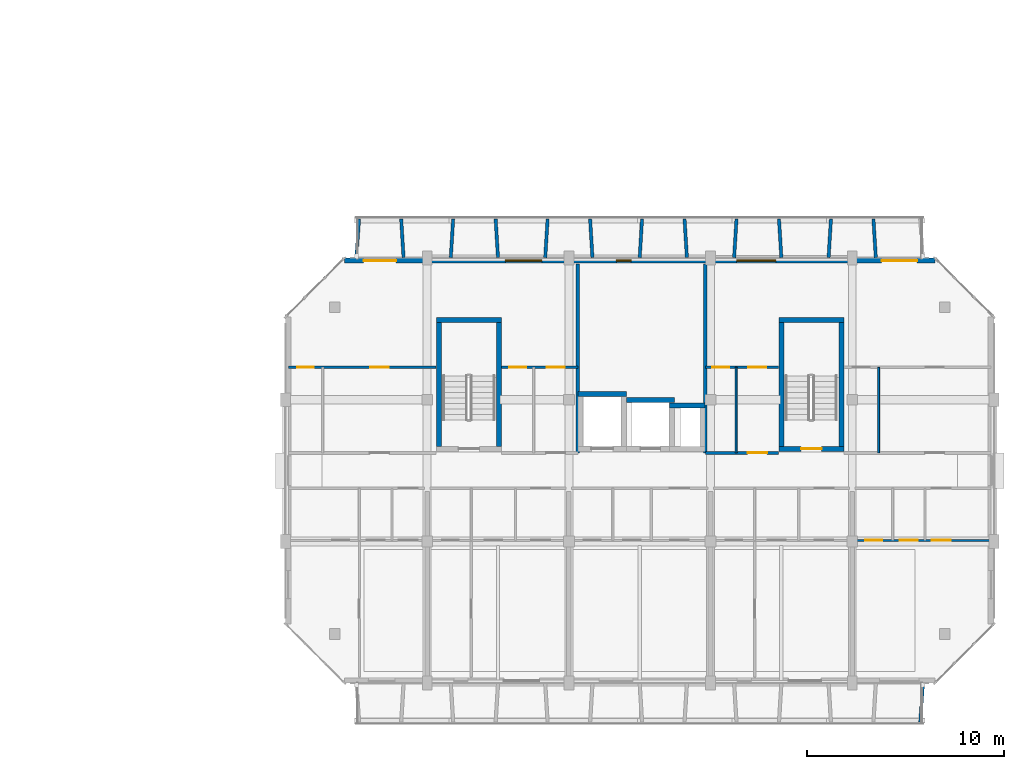
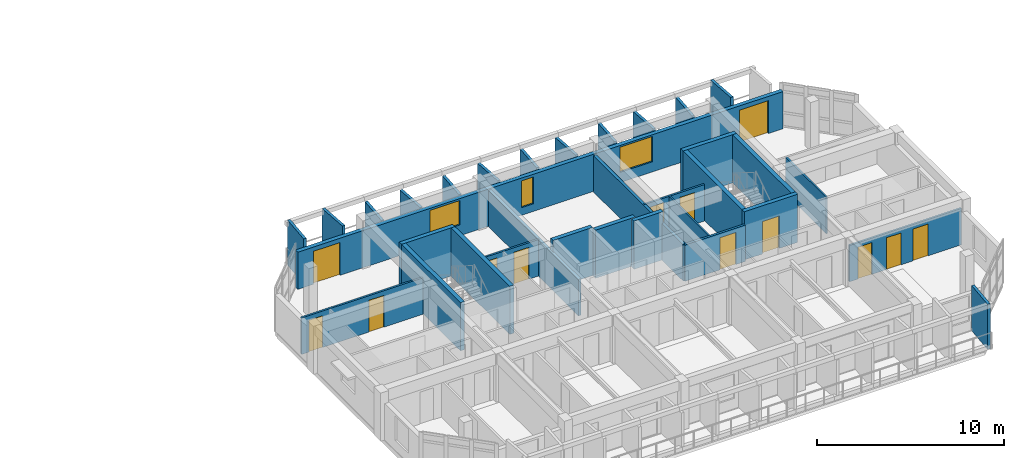
# One storey, part 31 of 51: 33 walls, 13 doors, 3 windows, 16 openings.
"""IFC4 building model written with IfcOpenShell, lengths in metres."""

from ifc_helpers import new_model, si_unit, direction, frame, frame_2d, origin, place, context, subcontext, project, spatial, rectangle, extrude, material, layer, layer_set, type_object, element, fill, save


model = new_model("IFC4")

# Units and contexts
model_context = context("Model", 3, precision=1e-05, world=origin(), true_north=direction((0.0, 1.0)))
body_context = subcontext(model_context, "Body", "Model", "MODEL_VIEW")
ifc_project = project(units=[si_unit("LENGTHUNIT", "METRE"), si_unit("AREAUNIT", "SQUARE_METRE"), si_unit("VOLUMEUNIT", "CUBIC_METRE"), si_unit("PLANEANGLEUNIT", "RADIAN"), si_unit("MASSUNIT", "GRAM", prefix="KILO")], contexts=[model_context])

# Site, building, storey
site_placement = place(None, origin())
site = spatial("IfcSite", under=ifc_project, at=site_placement, CompositionType="ELEMENT")
building_placement = place(site_placement, origin())
building = spatial("IfcBuilding", under=site, at=building_placement, Name="Ochrevale Crest", CompositionType="ELEMENT")
storey_placement = place(building_placement, frame((0.0, 0.0, 11.85009765625)))
storey = spatial("IfcBuildingStorey", under=building, at=storey_placement, Name="L03", CompositionType="ELEMENT", Elevation=11.85009765625)

# Wall, opening, door
ifc_material_1 = material(Name="Gypsum plasterboard", Category="gypsum")
ifc_layer_1 = layer(ifc_material_1, 0.139892578125)
ifc_layer_set_1 = layer_set([ifc_layer_1], Name="Gypsum plasterboard")
wall_type_1 = type_object("IfcWallType", Name="WL-COR-140", PredefinedType="PARTITIONING", material=ifc_layer_set_1)
wall_1_placement = place(storey_placement, frame((150.93994140625, 26.10009765625, 0.0), z_axis=(0.0, 0.0, 1.0), x_axis=(1.0, 0.0, 0.0)))
wall_1 = element("IfcWall", 1, at=wall_1_placement, inside=storey, type_object=wall_type_1, Name="Suite C-L03-ME corridor wall", PredefinedType="PARTITIONING", context=body_context, shape_type="SweptSolid", body=[
    extrude(rectangle(XDim=3.719970703125, YDim=0.139892578125, at=frame_2d((1.85986328125, 0.0))), origin(), (0.0, 0.0, 1.0), 2.3798828125),
])
opening_1_placement = place(wall_1_placement, frame((2.151123046875, 0.0, 0.0)))
opening_1 = element("IfcOpeningElement", 2, at=opening_1_placement, cuts=wall_1, Name="Opening FD01", PredefinedType="OPENING", context=body_context, shape_type="SweptSolid", body=[
    extrude(rectangle(XDim=0.97998046875, YDim=2.10009765625, at=frame_2d((0.489990234375, 1.050048828125))), frame((0.0, 0.080078125, 0.0), z_axis=(0.0, -1.0, 0.0), x_axis=(1.0, 0.0, 0.0)), (0.0, 0.0, 1.0), 0.159912109375),
])
ifc_material_2 = material(Name="Solid-core FSC hardwood", Category="wood")
door_type_1 = type_object("IfcDoorType", Name="DR-APT-950", OperationType="NOTDEFINED", PredefinedType="DOOR", material=ifc_material_2)
door_1_placement = place(opening_1_placement, origin())
door_1 = element("IfcDoor", 3, at=door_1_placement, inside=storey, type_object=door_type_1, Name="Suite C-L03-ME entrance door", OperationType="SINGLE_SWING_LEFT", OverallHeight=2.10009765625, OverallWidth=0.97998046875, PredefinedType="DOOR", context=body_context, shape_type="SweptSolid", body=[
    extrude(rectangle(XDim=0.97998046875, YDim=2.10009765625, at=frame_2d((0.489990234375, 1.050048828125))), frame((0.0, 0.02490234375, 0.0), z_axis=(0.0, -1.0, 0.0), x_axis=(1.0, 0.0, 0.0)), (0.0, 0.0, 1.0), 0.050048828125),
])
fill(opening_1, door_1)

# Walls
ifc_material_3 = material(Name="Precast concrete C50/60", Category="concrete")
ifc_layer_2 = layer(ifc_material_3, 0.2548828125)
ifc_layer_set_2 = layer_set([ifc_layer_2], Name="Precast concrete C50/60")
wall_type_2 = type_object("IfcWallType", Name="WL-CORE-255", PredefinedType="SHEAR", material=ifc_layer_set_2)
wall_2_placement = place(storey_placement, frame((137.2724609375, 32.85009765625, 0.0), z_axis=(0.0, 0.0, 1.0), x_axis=(1.0, 0.0, 0.0)))
element("IfcWall", 4, at=wall_2_placement, inside=storey, type_object=wall_type_2, Name="Block C L03 Stair 1 precast core shear wall N", PredefinedType="SHEAR", context=body_context, shape_type="SweptSolid", body=[
    extrude(rectangle(XDim=3.304931640625, YDim=0.2548828125, at=frame_2d((1.65234375, 0.0))), origin(), (0.0, 0.0, 1.0), 3.14990234375),
])
for number, where, z_axis, x_axis, name in (
    (5, (137.39990234375, 26.427490234375, 0.0), (0.0, 0.0, 1.0), (0.0, 1.0, 0.0), "Block C L03 Stair 1 precast core shear wall W"),
    (6, (140.449951171875, 26.427490234375, 0.0), (0.0, 0.0, 1.0), (0.0, 1.0, 0.0), "Block C L03 Stair 1 precast core shear wall E"),
):
    element("IfcWall", number, at=place(storey_placement, frame(where, z_axis=z_axis, x_axis=x_axis)), inside=storey, type_object=wall_type_2, Name=name, PredefinedType="SHEAR", context=body_context, shape_type="SweptSolid", body=[
        extrude(rectangle(XDim=6.294921875, YDim=0.2548828125, at=frame_2d((3.1474609375, 0.0))), origin(), (0.0, 0.0, 1.0), 3.14990234375),
    ])

# Wall, opening, door
wall_3_placement = place(storey_placement, frame((154.672607421875, 26.300048828125, 0.0), z_axis=(0.0, 0.0, 1.0), x_axis=(1.0, 0.0, 0.0)))
wall_3 = element("IfcWall", 7, at=wall_3_placement, inside=storey, type_object=wall_type_2, Name="Block C L03 Stair 2 precast core shear wall S", PredefinedType="SHEAR", context=body_context, shape_type="SweptSolid", body=[
    extrude(rectangle(XDim=3.304931640625, YDim=0.2548828125, at=frame_2d((1.65234375, 0.0))), origin(), (0.0, 0.0, 1.0), 3.14990234375),
])
opening_2_placement = place(wall_3_placement, frame((1.12744140625, 0.0, 0.0)))
opening_2 = element("IfcOpeningElement", 8, at=opening_2_placement, cuts=wall_3, Name="Opening FD03", PredefinedType="OPENING", context=body_context, shape_type="SweptSolid", body=[
    extrude(rectangle(XDim=1.050048828125, YDim=2.1201171875, at=frame_2d((0.52490234375, 1.06005859375))), frame((0.0, 0.137451171875, 0.0), z_axis=(0.0, -1.0, 0.0), x_axis=(1.0, 0.0, 0.0)), (0.0, 0.0, 1.0), 0.27490234375),
])
door_type_2 = type_object("IfcDoorType", Name="DR-ST-1050", OperationType="NOTDEFINED", PredefinedType="DOOR", material=ifc_material_2)
door_2_placement = place(opening_2_placement, origin())
door_2 = element("IfcDoor", 9, at=door_2_placement, inside=storey, type_object=door_type_2, Name="Block C L03 fire stair 2 door", OperationType="SINGLE_SWING_LEFT", OverallHeight=2.1201171875, OverallWidth=1.050048828125, PredefinedType="DOOR", context=body_context, shape_type="SweptSolid", body=[
    extrude(rectangle(XDim=1.050048828125, YDim=2.1201171875, at=frame_2d((0.52490234375, 1.06005859375))), frame((0.0, 0.02490234375, 0.0), z_axis=(0.0, -1.0, 0.0), x_axis=(1.0, 0.0, 0.0)), (0.0, 0.0, 1.0), 0.050048828125),
])
fill(opening_2, door_2)

# Walls
wall_4_placement = place(storey_placement, frame((154.672607421875, 32.85009765625, 0.0), z_axis=(0.0, 0.0, 1.0), x_axis=(1.0, 0.0, 0.0)))
element("IfcWall", 10, at=wall_4_placement, inside=storey, type_object=wall_type_2, Name="Block C L03 Stair 2 precast core shear wall N", PredefinedType="SHEAR", context=body_context, shape_type="SweptSolid", body=[
    extrude(rectangle(XDim=3.304931640625, YDim=0.2548828125, at=frame_2d((1.65234375, 0.0))), origin(), (0.0, 0.0, 1.0), 3.14990234375),
])
for number, where, z_axis, x_axis, name in (
    (11, (154.800048828125, 26.427490234375, 0.0), (0.0, 0.0, 1.0), (0.0, 1.0, 0.0), "Block C L03 Stair 2 precast core shear wall W"),
    (12, (157.85009765625, 26.427490234375, 0.0), (0.0, 0.0, 1.0), (0.0, 1.0, 0.0), "Block C L03 Stair 2 precast core shear wall E"),
):
    element("IfcWall", number, at=place(storey_placement, frame(where, z_axis=z_axis, x_axis=x_axis)), inside=storey, type_object=wall_type_2, Name=name, PredefinedType="SHEAR", context=body_context, shape_type="SweptSolid", body=[
        extrude(rectangle(XDim=6.294921875, YDim=0.2548828125, at=frame_2d((3.1474609375, 0.0))), origin(), (0.0, 0.0, 1.0), 3.14990234375),
    ])
wall_5_placement = place(storey_placement, frame((144.472412109375, 29.10009765625, 0.0), z_axis=(0.0, 0.0, 1.0), x_axis=(1.0, 0.0, 0.0)))
element("IfcWall", 13, at=wall_5_placement, inside=storey, type_object=wall_type_2, Name="Block C L03 Lift 1 precast shaft shear wall N", PredefinedType="SHEAR", context=body_context, shape_type="SweptSolid", body=[
    extrude(rectangle(XDim=2.455078125, YDim=0.2548828125, at=frame_2d((1.2275390625, 0.0))), origin(), (0.0, 0.0, 1.0), 3.14990234375),
])
wall_6_placement = place(storey_placement, frame((146.922607421875, 28.800048828125, 0.0), z_axis=(0.0, 0.0, 1.0), x_axis=(1.0, 0.0, 0.0)))
element("IfcWall", 14, at=wall_6_placement, inside=storey, type_object=wall_type_2, Name="Block C L03 Lift 2 precast shaft shear wall N", PredefinedType="SHEAR", context=body_context, shape_type="SweptSolid", body=[
    extrude(rectangle(XDim=2.454833984375, YDim=0.2548828125, at=frame_2d((1.2275390625, 0.0))), origin(), (0.0, 0.0, 1.0), 3.14990234375),
])
wall_7_placement = place(storey_placement, frame((149.12255859375, 28.5, 0.0), z_axis=(0.0, 0.0, 1.0), x_axis=(1.0, 0.0, 0.0)))
element("IfcWall", 15, at=wall_7_placement, inside=storey, type_object=wall_type_2, Name="Block C L03 services riser shaft core wall N", PredefinedType="SHEAR", context=body_context, shape_type="SweptSolid", body=[
    extrude(rectangle(XDim=1.804931640625, YDim=0.2548828125, at=frame_2d((0.90234375, 0.0))), origin(), (0.0, 0.0, 1.0), 3.14990234375),
])

# Wall, openings, doors, windows
ifc_material_4 = material(Name="Precast concrete C40/50", Category="concrete")
ifc_layer_3 = layer(ifc_material_4, 0.25)
ifc_layer_set_3 = layer_set([ifc_layer_3], Name="Precast concrete C40/50")
wall_type_3 = type_object("IfcWallType", Name="WL-EXT-GOLD-250", PredefinedType="SOLIDWALL", material=ifc_layer_set_3)
wall_8_placement = place(storey_placement, frame((162.60009765625, 35.875, 0.0), z_axis=(0.0, 0.0, 1.0), x_axis=(-1.0, 0.0, 0.0)))
wall_8 = element("IfcWall", 16, at=wall_8_placement, inside=storey, type_object=wall_type_3, Name="Block C L03 external facade wall E5", PredefinedType="SOLIDWALL", context=body_context, shape_type="SweptSolid", body=[
    extrude(rectangle(XDim=30.0, YDim=0.25, at=frame_2d((15.0, 0.0))), origin(), (0.0, 0.0, 1.0), 2.429931640625),
])
opening_3_placement = place(wall_8_placement, frame((29.02490234375, 0.0, 0.0), z_axis=(0.0, 0.0, 1.0), x_axis=(-1.0, 0.0, 0.0)))
opening_3 = element("IfcOpeningElement", 17, at=opening_3_placement, cuts=wall_8, Name="Opening BD02", PredefinedType="OPENING", context=body_context, shape_type="SweptSolid", body=[
    extrude(rectangle(XDim=1.64990234375, YDim=2.14990234375, at=frame_2d((0.824951171875, 1.074951171875))), frame((0.0, 0.135009765625, 0.0), z_axis=(0.0, -1.0, 0.0), x_axis=(1.0, 0.0, 0.0)), (0.0, 0.0, 1.0), 0.27001953125),
])
opening_4_placement = place(wall_8_placement, frame((2.699951171875, 0.0, 0.0), z_axis=(0.0, 0.0, 1.0), x_axis=(-1.0, 0.0, 0.0)))
opening_4 = element("IfcOpeningElement", 18, at=opening_4_placement, cuts=wall_8, Name="Opening BD03", PredefinedType="OPENING", context=body_context, shape_type="SweptSolid", body=[
    extrude(rectangle(XDim=1.800048828125, YDim=2.14990234375, at=frame_2d((0.89990234375, 1.074951171875))), frame((0.0, 0.135009765625, 0.0), z_axis=(0.0, -1.0, 0.0), x_axis=(1.0, 0.0, 0.0)), (0.0, 0.0, 1.0), 0.27001953125),
])
opening_5_placement = place(wall_8_placement, frame((15.429931640625, 0.0, 0.5)))
opening_5 = element("IfcOpeningElement", 19, at=opening_5_placement, cuts=wall_8, Name="Opening W16", PredefinedType="OPENING", context=body_context, shape_type="SweptSolid", body=[
    extrude(rectangle(XDim=0.75, YDim=1.75, at=frame_2d((0.375, 0.875))), frame((0.0, 0.135009765625, 0.0), z_axis=(0.0, -1.0, 0.0), x_axis=(1.0, 0.0, 0.0)), (0.0, 0.0, 1.0), 0.27001953125),
])
opening_6_placement = place(wall_8_placement, frame((8.074951171875, 0.0, 0.669921875)))
opening_6 = element("IfcOpeningElement", 20, at=opening_6_placement, cuts=wall_8, Name="Opening W12", PredefinedType="OPENING", context=body_context, shape_type="SweptSolid", body=[
    extrude(rectangle(XDim=2.0, YDim=1.64990234375, at=frame_2d((1.0, 0.824951171875))), frame((0.0, 0.135009765625, 0.0), z_axis=(0.0, -1.0, 0.0), x_axis=(1.0, 0.0, 0.0)), (0.0, 0.0, 1.0), 0.27001953125),
])
opening_7_placement = place(wall_8_placement, frame((19.969970703125, 0.0, 0.699951171875)))
opening_7 = element("IfcOpeningElement", 21, at=opening_7_placement, cuts=wall_8, Name="Opening W11", PredefinedType="OPENING", context=body_context, shape_type="SweptSolid", body=[
    extrude(rectangle(XDim=1.860107421875, YDim=1.60009765625, at=frame_2d((0.93017578125, 0.800048828125))), frame((0.0, 0.135009765625, 0.0), z_axis=(0.0, -1.0, 0.0), x_axis=(1.0, 0.0, 0.0)), (0.0, 0.0, 1.0), 0.27001953125),
])
ifc_material_5 = material(Name="Anodised aluminium 6063-T5 and toughened glass", Category="aluminium")
door_type_3 = type_object("IfcDoorType", Name="DR-BAL-1650", OperationType="NOTDEFINED", PredefinedType="DOOR", material=ifc_material_5)
door_3_placement = place(opening_3_placement, origin())
door_3 = element("IfcDoor", 22, at=door_3_placement, inside=storey, type_object=door_type_3, Name="Block C L03 balcony door N1", OperationType="SINGLE_SWING_RIGHT", OverallHeight=2.14990234375, OverallWidth=1.64990234375, PredefinedType="DOOR", context=body_context, shape_type="SweptSolid", body=[
    extrude(rectangle(XDim=1.64990234375, YDim=2.14990234375, at=frame_2d((0.824951171875, 1.074951171875))), frame((0.0, 0.02490234375, 0.0), z_axis=(0.0, -1.0, 0.0), x_axis=(1.0, 0.0, 0.0)), (0.0, 0.0, 1.0), 0.050048828125),
])
fill(opening_3, door_3)
door_type_4 = type_object("IfcDoorType", Name="DR-BAL-1800", OperationType="NOTDEFINED", PredefinedType="DOOR", material=ifc_material_5)
door_4_placement = place(opening_4_placement, origin())
door_4 = element("IfcDoor", 23, at=door_4_placement, inside=storey, type_object=door_type_4, Name="Block C L03 balcony door N5", OperationType="SINGLE_SWING_LEFT", OverallHeight=2.14990234375, OverallWidth=1.800048828125, PredefinedType="DOOR", context=body_context, shape_type="SweptSolid", body=[
    extrude(rectangle(XDim=1.800048828125, YDim=2.14990234375, at=frame_2d((0.89990234375, 1.074951171875))), frame((0.0, 0.02490234375, 0.0), z_axis=(0.0, -1.0, 0.0), x_axis=(1.0, 0.0, 0.0)), (0.0, 0.0, 1.0), 0.050048828125),
])
fill(opening_4, door_4)
ifc_material_6 = material(Name="Anodised aluminium 6063-T5 and low-E double glazing", Category="aluminium")
window_type_1 = type_object("IfcWindowType", Name="WIN-W11", PartitioningType="SINGLE_PANEL", PredefinedType="WINDOW", material=ifc_material_6)
window_1_placement = place(opening_7_placement, origin())
window_1 = element("IfcWindow", 24, at=window_1_placement, inside=storey, type_object=window_type_1, Name="Block C L03 Suite C-L03-MW Courtyard Studio Living window", OverallHeight=1.60009765625, OverallWidth=1.860107421875, PartitioningType="SINGLE_PANEL", PredefinedType="WINDOW", context=body_context, shape_type="SweptSolid", body=[
    extrude(rectangle(XDim=1.860107421875, YDim=1.60009765625, at=frame_2d((0.93017578125, 0.800048828125))), frame((0.0, 0.030029296875, 0.0), z_axis=(0.0, -1.0, 0.0), x_axis=(1.0, 0.0, 0.0)), (0.0, 0.0, 1.0), 0.06005859375),
])
fill(opening_7, window_1)
window_type_2 = type_object("IfcWindowType", Name="WIN-W12", PartitioningType="SINGLE_PANEL", PredefinedType="WINDOW", material=ifc_material_6)
window_2_placement = place(opening_6_placement, origin())
window_2 = element("IfcWindow", 25, at=window_2_placement, inside=storey, type_object=window_type_2, Name="Block C L03 Suite C-L03-ME Garden Alcove Studio window", OverallHeight=1.64990234375, OverallWidth=2.0, PartitioningType="SINGLE_PANEL", PredefinedType="WINDOW", context=body_context, shape_type="SweptSolid", body=[
    extrude(rectangle(XDim=2.0, YDim=1.64990234375, at=frame_2d((1.0, 0.824951171875))), frame((0.0, 0.030029296875, 0.0), z_axis=(0.0, -1.0, 0.0), x_axis=(1.0, 0.0, 0.0)), (0.0, 0.0, 1.0), 0.06005859375),
])
fill(opening_6, window_2)
window_type_3 = type_object("IfcWindowType", Name="WIN-W16", PartitioningType="SINGLE_PANEL", PredefinedType="WINDOW", material=ifc_material_6)
window_3_placement = place(opening_5_placement, origin())
window_3 = element("IfcWindow", 26, at=window_3_placement, inside=storey, type_object=window_type_3, Name="Block C L03 core lancet window", OverallHeight=1.75, OverallWidth=0.75, PartitioningType="SINGLE_PANEL", PredefinedType="WINDOW", context=body_context, shape_type="SweptSolid", body=[
    extrude(rectangle(XDim=0.75, YDim=1.75, at=frame_2d((0.375, 0.875))), frame((0.0, 0.030029296875, 0.0), z_axis=(0.0, -1.0, 0.0), x_axis=(1.0, 0.0, 0.0)), (0.0, 0.0, 1.0), 0.06005859375),
])
fill(opening_5, window_3)

# Walls
ifc_layer_4 = layer(ifc_material_4, 0.1650390625)
ifc_layer_set_4 = layer_set([ifc_layer_4], Name="Precast concrete C40/50")
wall_type_4 = type_object("IfcWallType", Name="WL-HC-CHEEK-165", PredefinedType="ELEMENTEDWALL", material=ifc_layer_set_4)
for number, where, z_axis, x_axis, name in (
    (27, (162.0, 14.3798828125, 0.0), (0.0, 0.0, 1.0), (-0.071194071069, -0.997462482625, 0.0), "Block C L03 S precast honeycomb cheek 13"),
    (28, (133.199951171875, 36.02001953125, 0.0), (0.0, 0.0, 1.0), (0.071317687608, 0.997453651772, 0.0), "Block C L03 N precast honeycomb cheek 1"),
):
    element("IfcWall", number, at=place(storey_placement, frame(where, z_axis=z_axis, x_axis=x_axis)), inside=storey, type_object=wall_type_4, Name=name, PredefinedType="ELEMENTEDWALL", context=body_context, shape_type="SweptSolid", body=[
        extrude(rectangle(XDim=1.96484375, YDim=0.1650390625, at=frame_2d((0.982421875, 0.0))), origin(), (0.0, 0.0, 1.0), 2.949951171875),
    ])
wall_9_placement = place(storey_placement, frame((135.60009765625, 36.02001953125, 0.0), z_axis=(0.0, 0.0, 1.0), x_axis=(-0.061170732449, 0.998127317276, 0.0)))
element("IfcWall", 29, at=wall_9_placement, inside=storey, type_object=wall_type_4, Name="Block C L03 N precast honeycomb cheek 2", PredefinedType="ELEMENTEDWALL", context=body_context, shape_type="SweptSolid", body=[
    extrude(rectangle(XDim=1.963623046875, YDim=0.1650390625, at=frame_2d((0.98193359375, 0.0))), origin(), (0.0, 0.0, 1.0), 2.949951171875),
])
for number, where, z_axis, x_axis, name in (
    (30, (138.0, 36.02001953125, 0.0), (0.0, 0.0, 1.0), (0.061170732449, 0.998127317276, 0.0), "Block C L03 N precast honeycomb cheek 3"),
    (31, (140.39990234375, 36.02001953125, 0.0), (0.0, 0.0, 1.0), (-0.061046865508, 0.998134900808, 0.0), "Block C L03 N precast honeycomb cheek 4"),
    (32, (142.800048828125, 36.02001953125, 0.0), (0.0, 0.0, 1.0), (0.061046865508, 0.998134900808, 0.0), "Block C L03 N precast honeycomb cheek 5"),
):
    element("IfcWall", number, at=place(storey_placement, frame(where, z_axis=z_axis, x_axis=x_axis)), inside=storey, type_object=wall_type_4, Name=name, PredefinedType="ELEMENTEDWALL", context=body_context, shape_type="SweptSolid", body=[
        extrude(rectangle(XDim=1.963623046875, YDim=0.1650390625, at=frame_2d((0.98193359375, 0.0))), origin(), (0.0, 0.0, 1.0), 2.47998046875),
    ])
for number, where, z_axis, x_axis, name in (
    (33, (145.199951171875, 36.02001953125, 0.0), (0.0, 0.0, 1.0), (-0.061046865508, 0.998134900808, 0.0), "Block C L03 N precast honeycomb cheek 6"),
    (34, (147.60009765625, 36.02001953125, 0.0), (0.0, 0.0, 1.0), (0.061046865508, 0.998134900808, 0.0), "Block C L03 N precast honeycomb cheek 7"),
    (35, (150.0, 36.02001953125, 0.0), (0.0, 0.0, 1.0), (-0.061170732449, 0.998127317276, 0.0), "Block C L03 N precast honeycomb cheek 8"),
):
    element("IfcWall", number, at=place(storey_placement, frame(where, z_axis=z_axis, x_axis=x_axis)), inside=storey, type_object=wall_type_4, Name=name, PredefinedType="ELEMENTEDWALL", context=body_context, shape_type="SweptSolid", body=[
        extrude(rectangle(XDim=1.963623046875, YDim=0.1650390625, at=frame_2d((0.98193359375, 0.0))), origin(), (0.0, 0.0, 1.0), 2.5498046875),
    ])
for number, where, z_axis, x_axis, name in (
    (36, (152.39990234375, 36.02001953125, 0.0), (0.0, 0.0, 1.0), (0.061170732449, 0.998127317276, 0.0), "Block C L03 N precast honeycomb cheek 9"),
    (37, (154.800048828125, 36.02001953125, 0.0), (0.0, 0.0, 1.0), (-0.061170732449, 0.998127317276, 0.0), "Block C L03 N precast honeycomb cheek 10"),
    (38, (157.199951171875, 36.02001953125, 0.0), (0.0, 0.0, 1.0), (0.061170732449, 0.998127317276, 0.0), "Block C L03 N precast honeycomb cheek 11"),
):
    element("IfcWall", number, at=place(storey_placement, frame(where, z_axis=z_axis, x_axis=x_axis)), inside=storey, type_object=wall_type_4, Name=name, PredefinedType="ELEMENTEDWALL", context=body_context, shape_type="SweptSolid", body=[
        extrude(rectangle(XDim=1.963623046875, YDim=0.1650390625, at=frame_2d((0.98193359375, 0.0))), origin(), (0.0, 0.0, 1.0), 2.579833984375),
    ])
wall_10_placement = place(storey_placement, frame((159.60009765625, 36.02001953125, 0.0), z_axis=(0.0, 0.0, 1.0), x_axis=(-0.061170732449, 0.998127317276, 0.0)))
element("IfcWall", 39, at=wall_10_placement, inside=storey, type_object=wall_type_4, Name="Block C L03 N precast honeycomb cheek 12", PredefinedType="ELEMENTEDWALL", context=body_context, shape_type="SweptSolid", body=[
    extrude(rectangle(XDim=1.963623046875, YDim=0.1650390625, at=frame_2d((0.98193359375, 0.0))), origin(), (0.0, 0.0, 1.0), 2.949951171875),
])

# Wall, openings, doors
ifc_layer_5 = layer(ifc_material_1, 0.1201171875)
ifc_layer_set_5 = layer_set([ifc_layer_5], Name="Gypsum plasterboard")
wall_type_5 = type_object("IfcWallType", Name="WL-PART-120", PredefinedType="PARTITIONING", material=ifc_layer_set_5)
wall_11_placement = place(storey_placement, frame((158.5400390625, 21.64990234375, 0.0), z_axis=(0.0, 0.0, 1.0), x_axis=(1.0, 0.0, 0.0)))
wall_11 = element("IfcWall", 40, at=wall_11_placement, inside=storey, type_object=wall_type_5, Name="Apartment C-L03-U5 central partition", PredefinedType="PARTITIONING", context=body_context, shape_type="SweptSolid", body=[
    extrude(rectangle(XDim=6.919921875, YDim=0.1201171875, at=frame_2d((3.4599609375, 0.0))), origin(), (0.0, 0.0, 1.0), 2.375),
])
opening_8_placement = place(wall_11_placement, frame((1.380126953125, 0.0, 0.0), z_axis=(0.0, 0.0, 1.0), x_axis=(-1.0, 0.0, 0.0)))
opening_8 = element("IfcOpeningElement", 41, at=opening_8_placement, cuts=wall_11, Name="Opening ID01", PredefinedType="OPENING", context=body_context, shape_type="SweptSolid", body=[
    extrude(rectangle(XDim=0.85009765625, YDim=2.080078125, at=frame_2d((0.425048828125, 1.0400390625))), frame((0.0, 0.070068359375, 0.0), z_axis=(0.0, -1.0, 0.0), x_axis=(1.0, 0.0, 0.0)), (0.0, 0.0, 1.0), 0.14013671875),
])
opening_9_placement = place(wall_11_placement, frame((2.284912109375, 0.0, 0.0)))
opening_9 = element("IfcOpeningElement", 42, at=opening_9_placement, cuts=wall_11, Name="Opening ID02", PredefinedType="OPENING", context=body_context, shape_type="SweptSolid", body=[
    extrude(rectangle(XDim=0.89990234375, YDim=2.080078125, at=frame_2d((0.449951171875, 1.0400390625))), frame((0.0, 0.070068359375, 0.0), z_axis=(0.0, -1.0, 0.0), x_axis=(1.0, 0.0, 0.0)), (0.0, 0.0, 1.0), 0.14013671875),
])
opening_10_placement = place(wall_11_placement, frame((4.85986328125, 0.0, 0.0), z_axis=(0.0, 0.0, 1.0), x_axis=(-1.0, 0.0, 0.0)))
opening_10 = element("IfcOpeningElement", 43, at=opening_10_placement, cuts=wall_11, Name="Opening ID06", PredefinedType="OPENING", context=body_context, shape_type="SweptSolid", body=[
    extrude(rectangle(XDim=0.949951171875, YDim=2.080078125, at=frame_2d((0.47509765625, 1.0400390625))), frame((0.0, 0.070068359375, 0.0), z_axis=(0.0, -1.0, 0.0), x_axis=(1.0, 0.0, 0.0)), (0.0, 0.0, 1.0), 0.14013671875),
])
door_type_5 = type_object("IfcDoorType", Name="DR-INT-900", OperationType="NOTDEFINED", PredefinedType="DOOR", material=ifc_material_2)
door_5_placement = place(opening_9_placement, origin())
door_5 = element("IfcDoor", 44, at=door_5_placement, inside=storey, type_object=door_type_5, Name="Apartment C-L03-U5 Kitchen door", OperationType="SINGLE_SWING_LEFT", OverallHeight=2.080078125, OverallWidth=0.89990234375, PredefinedType="DOOR", context=body_context, shape_type="SweptSolid", body=[
    extrude(rectangle(XDim=0.89990234375, YDim=2.080078125, at=frame_2d((0.449951171875, 1.0400390625))), frame((0.0, 0.02490234375, 0.0), z_axis=(0.0, -1.0, 0.0), x_axis=(1.0, 0.0, 0.0)), (0.0, 0.0, 1.0), 0.050048828125),
])
fill(opening_9, door_5)
door_type_6 = type_object("IfcDoorType", Name="DR-INT-950", OperationType="NOTDEFINED", PredefinedType="DOOR", material=ifc_material_2)
door_6_placement = place(opening_10_placement, origin())
door_6 = element("IfcDoor", 45, at=door_6_placement, inside=storey, type_object=door_type_6, Name="Apartment C-L03-U5 Living Foyer door", OperationType="SINGLE_SWING_RIGHT", OverallHeight=2.080078125, OverallWidth=0.949951171875, PredefinedType="DOOR", context=body_context, shape_type="SweptSolid", body=[
    extrude(rectangle(XDim=0.949951171875, YDim=2.080078125, at=frame_2d((0.47509765625, 1.0400390625))), frame((0.0, 0.02490234375, 0.0), z_axis=(0.0, -1.0, 0.0), x_axis=(1.0, 0.0, 0.0)), (0.0, 0.0, 1.0), 0.050048828125),
])
fill(opening_10, door_6)
door_type_7 = type_object("IfcDoorType", Name="DR-WC-850", OperationType="NOTDEFINED", PredefinedType="DOOR", material=ifc_material_2)
door_7_placement = place(opening_8_placement, origin())
door_7 = element("IfcDoor", 46, at=door_7_placement, inside=storey, type_object=door_type_7, Name="Apartment C-L03-U5 Bathroom door", OperationType="SINGLE_SWING_RIGHT", OverallHeight=2.080078125, OverallWidth=0.85009765625, PredefinedType="DOOR", context=body_context, shape_type="SweptSolid", body=[
    extrude(rectangle(XDim=0.85009765625, YDim=2.080078125, at=frame_2d((0.425048828125, 1.0400390625))), frame((0.0, 0.02490234375, 0.0), z_axis=(0.0, -1.0, 0.0), x_axis=(1.0, 0.0, 0.0)), (0.0, 0.0, 1.0), 0.050048828125),
])
fill(opening_8, door_7)

wall_12_placement = place(storey_placement, frame((129.739990234375, 30.449951171875, 0.0), z_axis=(0.0, 0.0, 1.0), x_axis=(1.0, 0.0, 0.0)))
wall_12 = element("IfcWall", 47, at=wall_12_placement, inside=storey, type_object=wall_type_5, Name="Suite C-L03-CW internal wall", PredefinedType="PARTITIONING", context=body_context, shape_type="SweptSolid", body=[
    extrude(rectangle(XDim=7.52001953125, YDim=0.1201171875, at=frame_2d((3.760009765625, 0.0))), origin(), (0.0, 0.0, 1.0), 2.3798828125),
])
opening_11_placement = place(wall_12_placement, frame((1.300048828125, 0.0, 0.0), z_axis=(0.0, 0.0, 1.0), x_axis=(-1.0, 0.0, 0.0)))
opening_11 = element("IfcOpeningElement", 48, at=opening_11_placement, cuts=wall_12, Name="Opening ID01", PredefinedType="OPENING", context=body_context, shape_type="SweptSolid", body=[
    extrude(rectangle(XDim=0.85009765625, YDim=2.080078125, at=frame_2d((0.425048828125, 1.0400390625))), frame((0.0, 0.070068359375, 0.0), z_axis=(0.0, -1.0, 0.0), x_axis=(1.0, 0.0, 0.0)), (0.0, 0.0, 1.0), 0.14013671875),
])
opening_12_placement = place(wall_12_placement, frame((4.175048828125, 0.0, 0.0)))
opening_12 = element("IfcOpeningElement", 49, at=opening_12_placement, cuts=wall_12, Name="Opening ID04", PredefinedType="OPENING", context=body_context, shape_type="SweptSolid", body=[
    extrude(rectangle(XDim=0.919921875, YDim=2.080078125, at=frame_2d((0.4599609375, 1.0400390625))), frame((0.0, 0.070068359375, 0.0), z_axis=(0.0, -1.0, 0.0), x_axis=(1.0, 0.0, 0.0)), (0.0, 0.0, 1.0), 0.14013671875),
])
door_type_8 = type_object("IfcDoorType", Name="DR-INT-920", OperationType="NOTDEFINED", PredefinedType="DOOR", material=ifc_material_2)
door_8_placement = place(opening_12_placement, origin())
door_8 = element("IfcDoor", 50, at=door_8_placement, inside=storey, type_object=door_type_8, Name="Suite C-L03-CW Garden Alcove Studio door", OperationType="SINGLE_SWING_LEFT", OverallHeight=2.080078125, OverallWidth=0.919921875, PredefinedType="DOOR", context=body_context, shape_type="SweptSolid", body=[
    extrude(rectangle(XDim=0.919921875, YDim=2.080078125, at=frame_2d((0.4599609375, 1.0400390625))), frame((0.0, 0.02490234375, 0.0), z_axis=(0.0, -1.0, 0.0), x_axis=(1.0, 0.0, 0.0)), (0.0, 0.0, 1.0), 0.050048828125),
])
fill(opening_12, door_8)
door_9_placement = place(opening_11_placement, origin())
door_9 = element("IfcDoor", 51, at=door_9_placement, inside=storey, type_object=door_type_7, Name="Suite C-L03-CW Bathroom door", OperationType="SINGLE_SWING_RIGHT", OverallHeight=2.080078125, OverallWidth=0.85009765625, PredefinedType="DOOR", context=body_context, shape_type="SweptSolid", body=[
    extrude(rectangle(XDim=0.85009765625, YDim=2.080078125, at=frame_2d((0.425048828125, 1.0400390625))), frame((0.0, 0.02490234375, 0.0), z_axis=(0.0, -1.0, 0.0), x_axis=(1.0, 0.0, 0.0)), (0.0, 0.0, 1.0), 0.050048828125),
])
fill(opening_11, door_9)

wall_13_placement = place(storey_placement, frame((140.590087890625, 30.449951171875, 0.0), z_axis=(0.0, 0.0, 1.0), x_axis=(1.0, 0.0, 0.0)))
wall_13 = element("IfcWall", 52, at=wall_13_placement, inside=storey, type_object=wall_type_5, Name="Suite C-L03-MW internal wall", PredefinedType="PARTITIONING", context=body_context, shape_type="SweptSolid", body=[
    extrude(rectangle(XDim=3.869873046875, YDim=0.1201171875, at=frame_2d((1.93505859375, 0.0))), origin(), (0.0, 0.0, 1.0), 2.3798828125),
])
opening_13_placement = place(wall_13_placement, frame((0.3876953125, 0.0, 0.0)))
opening_13 = element("IfcOpeningElement", 53, at=opening_13_placement, cuts=wall_13, Name="Opening ID01", PredefinedType="OPENING", context=body_context, shape_type="SweptSolid", body=[
    extrude(rectangle(XDim=0.85009765625, YDim=2.080078125, at=frame_2d((0.425048828125, 1.0400390625))), frame((0.0, 0.070068359375, 0.0), z_axis=(0.0, -1.0, 0.0), x_axis=(1.0, 0.0, 0.0)), (0.0, 0.0, 1.0), 0.14013671875),
])
opening_14_placement = place(wall_13_placement, frame((3.20751953125, 0.0, 0.0), z_axis=(0.0, 0.0, 1.0), x_axis=(-1.0, 0.0, 0.0)))
opening_14 = element("IfcOpeningElement", 54, at=opening_14_placement, cuts=wall_13, Name="Opening ID04", PredefinedType="OPENING", context=body_context, shape_type="SweptSolid", body=[
    extrude(rectangle(XDim=0.919921875, YDim=2.080078125, at=frame_2d((0.4599609375, 1.0400390625))), frame((0.0, 0.070068359375, 0.0), z_axis=(0.0, -1.0, 0.0), x_axis=(1.0, 0.0, 0.0)), (0.0, 0.0, 1.0), 0.14013671875),
])
door_10_placement = place(opening_14_placement, origin())
door_10 = element("IfcDoor", 55, at=door_10_placement, inside=storey, type_object=door_type_8, Name="Suite C-L03-MW Courtyard Studio Living door", OperationType="SINGLE_SWING_RIGHT", OverallHeight=2.080078125, OverallWidth=0.919921875, PredefinedType="DOOR", context=body_context, shape_type="SweptSolid", body=[
    extrude(rectangle(XDim=0.919921875, YDim=2.080078125, at=frame_2d((0.4599609375, 1.0400390625))), frame((0.0, 0.02490234375, 0.0), z_axis=(0.0, -1.0, 0.0), x_axis=(1.0, 0.0, 0.0)), (0.0, 0.0, 1.0), 0.050048828125),
])
fill(opening_14, door_10)
door_11_placement = place(opening_13_placement, origin())
door_11 = element("IfcDoor", 56, at=door_11_placement, inside=storey, type_object=door_type_7, Name="Suite C-L03-MW Bathroom door", OperationType="SINGLE_SWING_LEFT", OverallHeight=2.080078125, OverallWidth=0.85009765625, PredefinedType="DOOR", context=body_context, shape_type="SweptSolid", body=[
    extrude(rectangle(XDim=0.85009765625, YDim=2.080078125, at=frame_2d((0.425048828125, 1.0400390625))), frame((0.0, 0.02490234375, 0.0), z_axis=(0.0, -1.0, 0.0), x_axis=(1.0, 0.0, 0.0)), (0.0, 0.0, 1.0), 0.050048828125),
])
fill(opening_13, door_11)

wall_14_placement = place(storey_placement, frame((150.93994140625, 30.449951171875, 0.0), z_axis=(0.0, 0.0, 1.0), x_axis=(1.0, 0.0, 0.0)))
wall_14 = element("IfcWall", 57, at=wall_14_placement, inside=storey, type_object=wall_type_5, Name="Suite C-L03-ME internal wall", PredefinedType="PARTITIONING", context=body_context, shape_type="SweptSolid", body=[
    extrude(rectangle(XDim=3.719970703125, YDim=0.1201171875, at=frame_2d((1.85986328125, 0.0))), origin(), (0.0, 0.0, 1.0), 2.3798828125),
])
opening_15_placement = place(wall_14_placement, frame((1.206298828125, 0.0, 0.0), z_axis=(0.0, 0.0, 1.0), x_axis=(-1.0, 0.0, 0.0)))
opening_15 = element("IfcOpeningElement", 58, at=opening_15_placement, cuts=wall_14, Name="Opening ID01", PredefinedType="OPENING", context=body_context, shape_type="SweptSolid", body=[
    extrude(rectangle(XDim=0.85009765625, YDim=2.080078125, at=frame_2d((0.425048828125, 1.0400390625))), frame((0.0, 0.070068359375, 0.0), z_axis=(0.0, -1.0, 0.0), x_axis=(1.0, 0.0, 0.0)), (0.0, 0.0, 1.0), 0.14013671875),
])
opening_16_placement = place(wall_14_placement, frame((2.18115234375, 0.0, 0.0)))
opening_16 = element("IfcOpeningElement", 59, at=opening_16_placement, cuts=wall_14, Name="Opening ID04", PredefinedType="OPENING", context=body_context, shape_type="SweptSolid", body=[
    extrude(rectangle(XDim=0.919921875, YDim=2.080078125, at=frame_2d((0.4599609375, 1.0400390625))), frame((0.0, 0.070068359375, 0.0), z_axis=(0.0, -1.0, 0.0), x_axis=(1.0, 0.0, 0.0)), (0.0, 0.0, 1.0), 0.14013671875),
])
door_12_placement = place(opening_16_placement, origin())
door_12 = element("IfcDoor", 60, at=door_12_placement, inside=storey, type_object=door_type_8, Name="Suite C-L03-ME Garden Alcove Studio door", OperationType="SINGLE_SWING_LEFT", OverallHeight=2.080078125, OverallWidth=0.919921875, PredefinedType="DOOR", context=body_context, shape_type="SweptSolid", body=[
    extrude(rectangle(XDim=0.919921875, YDim=2.080078125, at=frame_2d((0.4599609375, 1.0400390625))), frame((0.0, 0.02490234375, 0.0), z_axis=(0.0, -1.0, 0.0), x_axis=(1.0, 0.0, 0.0)), (0.0, 0.0, 1.0), 0.050048828125),
])
fill(opening_16, door_12)
door_13_placement = place(opening_15_placement, origin())
door_13 = element("IfcDoor", 61, at=door_13_placement, inside=storey, type_object=door_type_7, Name="Suite C-L03-ME Bathroom door", OperationType="SINGLE_SWING_RIGHT", OverallHeight=2.080078125, OverallWidth=0.85009765625, PredefinedType="DOOR", context=body_context, shape_type="SweptSolid", body=[
    extrude(rectangle(XDim=0.85009765625, YDim=2.080078125, at=frame_2d((0.425048828125, 1.0400390625))), frame((0.0, 0.02490234375, 0.0), z_axis=(0.0, -1.0, 0.0), x_axis=(1.0, 0.0, 0.0)), (0.0, 0.0, 1.0), 0.050048828125),
])
fill(opening_15, door_13)

# Walls
ifc_layer_6 = layer(ifc_material_1, 0.169921875)
ifc_layer_set_6 = layer_set([ifc_layer_6], Name="Gypsum plasterboard")
wall_type_6 = type_object("IfcWallType", Name="WL-TEN-170", PredefinedType="PARTITIONING", material=ifc_layer_set_6)
for number, where, z_axis, x_axis, name in (
    (62, (144.4599609375, 26.10009765625, 0.0), (0.0, 0.0, 1.0), (0.0, 1.0, 0.0), "Suite C-L03-MW east party wall"),
    (63, (150.93994140625, 26.10009765625, 0.0), (0.0, 0.0, 1.0), (0.0, 1.0, 0.0), "Suite C-L03-ME west party wall"),
):
    element("IfcWall", number, at=place(storey_placement, frame(where, z_axis=z_axis, x_axis=x_axis)), inside=storey, type_object=wall_type_6, Name=name, PredefinedType="PARTITIONING", context=body_context, shape_type="SweptSolid", body=[
        extrude(rectangle(XDim=9.599853515625, YDim=0.169921875, at=frame_2d((4.7998046875, 0.0))), origin(), (0.0, 0.0, 1.0), 2.3798828125),
    ])
ifc_layer_7 = layer(ifc_material_1, 0.10009765625)
ifc_layer_set_7 = layer_set([ifc_layer_7], Name="Gypsum plasterboard")
wall_type_7 = type_object("IfcWallType", Name="WL-WET-100", PredefinedType="PARTITIONING", material=ifc_layer_set_7)
for number, where, z_axis, x_axis, name in (
    (64, (152.50244140625, 26.10009765625, 0.0), (0.0, 0.0, 1.0), (0.0, 1.0, 0.0), "Suite C-L03-ME bathroom divider"),
    (65, (159.739990234375, 26.10009765625, 0.0), (0.0, 0.0, 1.0), (0.0, 1.0, 0.0), "Suite C-L03-CE bathroom divider"),
):
    element("IfcWall", number, at=place(storey_placement, frame(where, z_axis=z_axis, x_axis=x_axis)), inside=storey, type_object=wall_type_7, Name=name, PredefinedType="PARTITIONING", context=body_context, shape_type="SweptSolid", body=[
        extrude(rectangle(XDim=4.349853515625, YDim=0.10009765625, at=frame_2d((2.1748046875, 0.0))), origin(), (0.0, 0.0, 1.0), 2.375),
    ])

save(model, "model.ifc")
